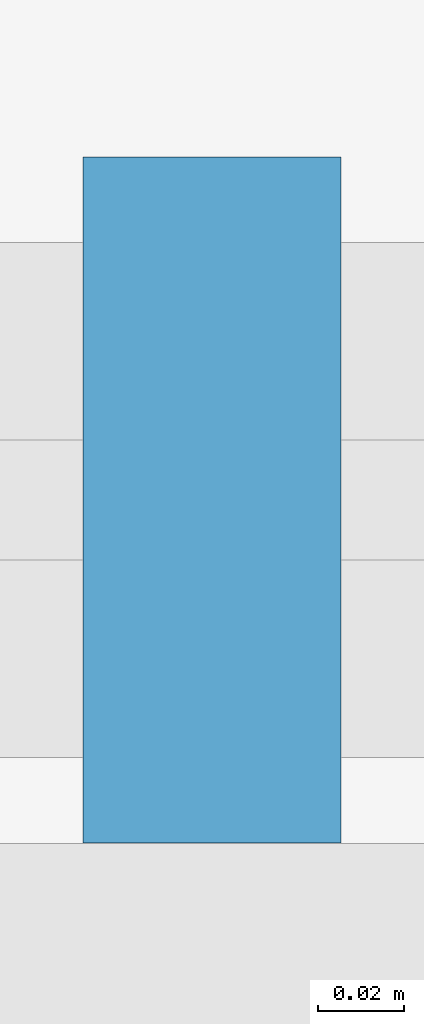
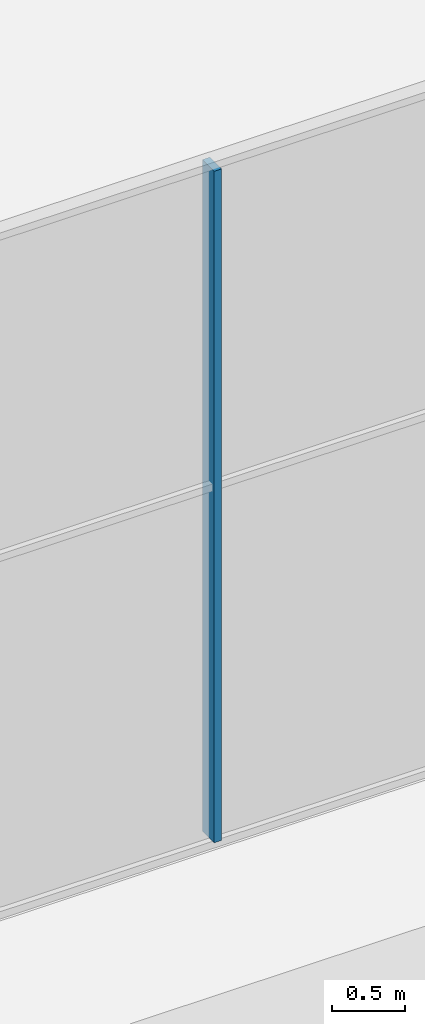
# One storey, part 5 of 23: 1 member, 1 element without a shape of its own.
"""IFC4 building model written with IfcOpenShell, lengths in metres."""

from ifc_helpers import new_model, si_unit, direction, frame, origin, origin_2d, place, context, subcontext, project, spatial, rectangle, extrude, material, material_profile, profile_set, type_object, element, aggregate, save


model = new_model("IFC4")

# Units and contexts
model_context = context("Model", 3, precision=1e-05, world=origin(), true_north=direction((0.0, 1.0)))
body_context = subcontext(model_context, "Body", "Model", "MODEL_VIEW")
ifc_project = project(units=[si_unit("LENGTHUNIT", "METRE"), si_unit("AREAUNIT", "SQUARE_METRE"), si_unit("VOLUMEUNIT", "CUBIC_METRE"), si_unit("PLANEANGLEUNIT", "RADIAN"), si_unit("MASSUNIT", "GRAM", prefix="KILO")], contexts=[model_context])

# Site, building, storey
site_placement = place(None, origin())
site = spatial("IfcSite", under=ifc_project, at=site_placement, CompositionType="ELEMENT")
building_placement = place(site_placement, origin())
building = spatial("IfcBuilding", under=site, at=building_placement, Name="Ogive Portal Towers", CompositionType="ELEMENT")
storey_placement = place(building_placement, frame((0.0, 0.0, 260.89990234375)))
storey = spatial("IfcBuildingStorey", under=building, at=storey_placement, Name="L64", CompositionType="ELEMENT", Elevation=260.89990234375)

# Curtain wall, member
ifc_material_1 = material(Name="Glass, clear low-iron insulated glazing", Category="glass")
curtain_wall_type = type_object("IfcCurtainWallType", Name="CW OBSERVATION WALL", PredefinedType="NOTDEFINED", material=ifc_material_1)
curtain_wall_placement = place(storey_placement, origin())
curtain_wall = element("IfcCurtainWall", 1, at=curtain_wall_placement, inside=storey, type_object=curtain_wall_type, Name="A:L64:f05:cw0", PredefinedType="NOTDEFINED")
ifc_material_2 = material(Name="Aluminium 6063 anodised", Category="aluminium")
ifc_material_profile = material_profile(ifc_material_2, rectangle(XDim=0.159912109375, YDim=0.06005859375, at=origin_2d()), Name="AL 60x160")
ifc_profile_set = profile_set([ifc_material_profile], Name="Aluminium 6063 anodised")
member_type = type_object("IfcMemberType", Name="CW MULLION 60x160", PredefinedType="MULLION", material=ifc_profile_set)
member_placement = place(storey_placement, frame((63.0, 20.47998046875, 0.06005859375), z_axis=(0.0, 0.0, 1.0), x_axis=(0.0, 1.0, 0.0)))
member = element("IfcMember", 2, at=member_placement, type_object=member_type, Name="mullion", PredefinedType="MULLION", context=body_context, shape_type="SweptSolid", body=[
    extrude(rectangle(XDim=0.159912109375, YDim=0.06005859375, at=origin_2d()), origin(), (0.0, 0.0, 1.0), 5.580078125),
])
aggregate(curtain_wall, [member])

save(model, "model.ifc")
